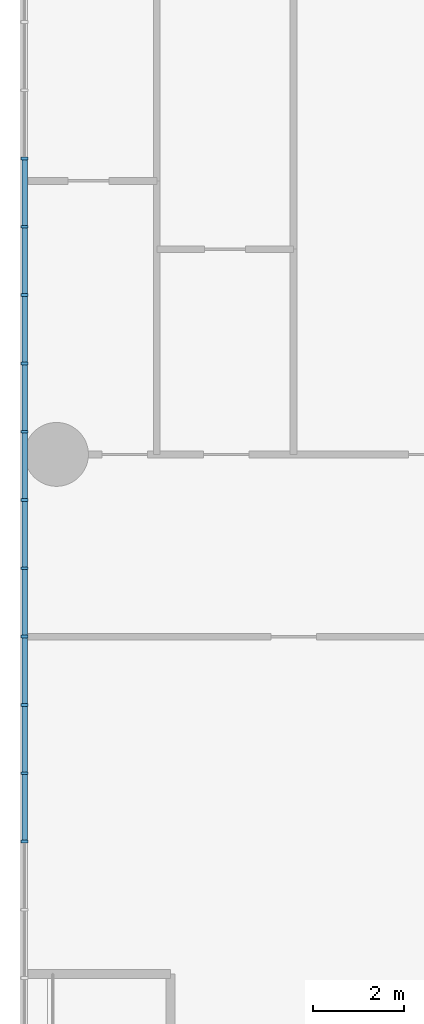
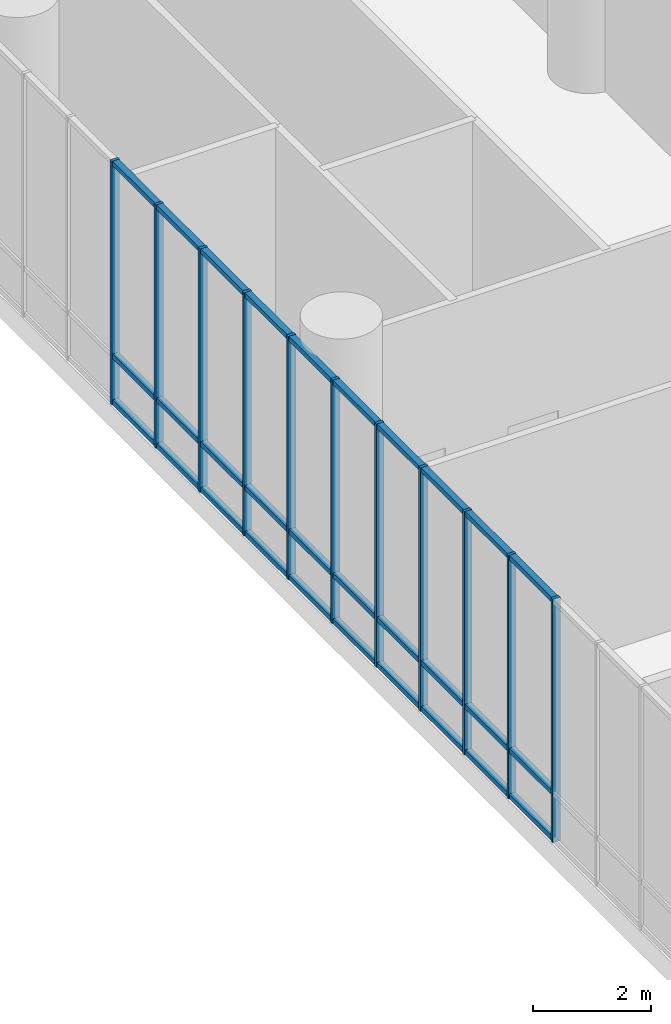
# One storey, part 5 of 28: 41 members, 1 element without a shape of its own.
"""IFC4 building model written with IfcOpenShell, lengths in metres."""

from ifc_helpers import new_model, si_unit, direction, frame, origin, origin_2d, place, context, subcontext, project, spatial, rectangle, extrude, material, layer, layer_set, material_profile, profile_set, type_object, element, aggregate, save


model = new_model("IFC4")

# Units and contexts
model_context = context("Model", 3, precision=1e-05, world=origin(), true_north=direction((0.0, 1.0)))
body_context = subcontext(model_context, "Body", "Model", "MODEL_VIEW")
ifc_project = project(units=[si_unit("LENGTHUNIT", "METRE"), si_unit("AREAUNIT", "SQUARE_METRE"), si_unit("VOLUMEUNIT", "CUBIC_METRE"), si_unit("PLANEANGLEUNIT", "RADIAN"), si_unit("MASSUNIT", "GRAM", prefix="KILO")], contexts=[model_context])

# Site, building, storey
site_placement = place(None, origin())
site = spatial("IfcSite", under=ifc_project, at=site_placement, CompositionType="ELEMENT")
building_placement = place(site_placement, origin())
building = spatial("IfcBuilding", under=site, at=building_placement, Name="Torana Hotel and Residences", CompositionType="ELEMENT")
storey_placement = place(building_placement, frame((0.0, 0.0, 7.0)))
storey = spatial("IfcBuildingStorey", under=building, at=storey_placement, Name="L01", CompositionType="ELEMENT", Elevation=7.0)

# Curtain wall, members
ifc_material_1 = material(Name="Dark anodised aluminium", Category="aluminium")
ifc_layer = layer(ifc_material_1, 0.14990234375)
ifc_layer_set = layer_set([ifc_layer], Name="CW5 PODIUM UPPER UNITISED CURTAIN WALL")
curtain_wall_type = type_object("IfcCurtainWallType", Name="CW5 PODIUM UPPER UNITISED CURTAIN WALL", PredefinedType="NOTDEFINED", material=ifc_layer_set)
curtain_wall_placement = place(storey_placement, origin())
curtain_wall = element("IfcCurtainWall", 1, at=curtain_wall_placement, inside=storey, type_object=curtain_wall_type, Name="Curtain wall CW5 L01 e0.7", PredefinedType="NOTDEFINED")
ifc_material_2 = material(Name="Dark anodised aluminium", Category="aluminium")
ifc_material_profile_1 = material_profile(ifc_material_2, rectangle(XDim=0.14990234375, YDim=0.06005859375, at=origin_2d()), Name="CW5 MULLION 60x150")
ifc_profile_set_1 = profile_set([ifc_material_profile_1], Name="Dark anodised aluminium")
member_type_1 = type_object("IfcMemberType", Name="CW5 MULLION 60x150", PredefinedType="MULLION", material=ifc_profile_set_1)
member_1_placement = place(storey_placement, frame((-47.89990234375, -8.51025390625, 0.0), z_axis=(0.0, 0.0, 1.0), x_axis=(1.0, 0.0, 0.0)))
member_1 = element("IfcMember", 2, at=member_1_placement, type_object=member_type_1, Name="CW5 mullion 8", PredefinedType="MULLION", context=body_context, shape_type="SweptSolid", body=[
    extrude(rectangle(XDim=0.14990234375, YDim=0.06005859375, at=origin_2d()), origin(), (0.0, 0.0, 1.0), 5.050048828125),
])
member_2_placement = place(storey_placement, frame((-47.89990234375, -10.00830078125, 0.0), z_axis=(0.0, 0.0, 1.0), x_axis=(1.0, 0.0, 0.0)))
member_2 = element("IfcMember", 3, at=member_2_placement, type_object=member_type_1, Name="CW5 mullion 9", PredefinedType="MULLION", context=body_context, shape_type="SweptSolid", body=[
    extrude(rectangle(XDim=0.14990234375, YDim=0.06005859375, at=origin_2d()), origin(), (0.0, 0.0, 1.0), 5.050048828125),
])
member_3_placement = place(storey_placement, frame((-47.89990234375, -11.506103515625, 0.0), z_axis=(0.0, 0.0, 1.0), x_axis=(1.0, 0.0, 0.0)))
member_3 = element("IfcMember", 4, at=member_3_placement, type_object=member_type_1, Name="CW5 mullion 10", PredefinedType="MULLION", context=body_context, shape_type="SweptSolid", body=[
    extrude(rectangle(XDim=0.14990234375, YDim=0.06005859375, at=origin_2d()), origin(), (0.0, 0.0, 1.0), 5.050048828125),
])
member_4_placement = place(storey_placement, frame((-47.89990234375, -13.004150390625, 0.0), z_axis=(0.0, 0.0, 1.0), x_axis=(1.0, 0.0, 0.0)))
member_4 = element("IfcMember", 5, at=member_4_placement, type_object=member_type_1, Name="CW5 mullion 11", PredefinedType="MULLION", context=body_context, shape_type="SweptSolid", body=[
    extrude(rectangle(XDim=0.14990234375, YDim=0.06005859375, at=origin_2d()), origin(), (0.0, 0.0, 1.0), 5.050048828125),
])
member_5_placement = place(storey_placement, frame((-47.89990234375, -14.501953125, 0.0), z_axis=(0.0, 0.0, 1.0), x_axis=(1.0, 0.0, 0.0)))
member_5 = element("IfcMember", 6, at=member_5_placement, type_object=member_type_1, Name="CW5 mullion 12", PredefinedType="MULLION", context=body_context, shape_type="SweptSolid", body=[
    extrude(rectangle(XDim=0.14990234375, YDim=0.06005859375, at=origin_2d()), origin(), (0.0, 0.0, 1.0), 5.050048828125),
])
member_6_placement = place(storey_placement, frame((-47.89990234375, -16.0, 0.0), z_axis=(0.0, 0.0, 1.0), x_axis=(1.0, 0.0, 0.0)))
member_6 = element("IfcMember", 7, at=member_6_placement, type_object=member_type_1, Name="CW5 mullion 13", PredefinedType="MULLION", context=body_context, shape_type="SweptSolid", body=[
    extrude(rectangle(XDim=0.14990234375, YDim=0.06005859375, at=origin_2d()), origin(), (0.0, 0.0, 1.0), 5.050048828125),
])
member_7_placement = place(storey_placement, frame((-47.89990234375, -17.498046875, 0.0), z_axis=(0.0, 0.0, 1.0), x_axis=(1.0, 0.0, 0.0)))
member_7 = element("IfcMember", 8, at=member_7_placement, type_object=member_type_1, Name="CW5 mullion 14", PredefinedType="MULLION", context=body_context, shape_type="SweptSolid", body=[
    extrude(rectangle(XDim=0.14990234375, YDim=0.06005859375, at=origin_2d()), origin(), (0.0, 0.0, 1.0), 5.050048828125),
])
member_8_placement = place(storey_placement, frame((-47.89990234375, -18.995849609375, 0.0), z_axis=(0.0, 0.0, 1.0), x_axis=(1.0, 0.0, 0.0)))
member_8 = element("IfcMember", 9, at=member_8_placement, type_object=member_type_1, Name="CW5 mullion 15", PredefinedType="MULLION", context=body_context, shape_type="SweptSolid", body=[
    extrude(rectangle(XDim=0.14990234375, YDim=0.06005859375, at=origin_2d()), origin(), (0.0, 0.0, 1.0), 5.050048828125),
])
member_9_placement = place(storey_placement, frame((-47.89990234375, -20.493896484375, 0.0), z_axis=(0.0, 0.0, 1.0), x_axis=(1.0, 0.0, 0.0)))
member_9 = element("IfcMember", 10, at=member_9_placement, type_object=member_type_1, Name="CW5 mullion 16", PredefinedType="MULLION", context=body_context, shape_type="SweptSolid", body=[
    extrude(rectangle(XDim=0.14990234375, YDim=0.06005859375, at=origin_2d()), origin(), (0.0, 0.0, 1.0), 5.050048828125),
])
member_10_placement = place(storey_placement, frame((-47.89990234375, -21.99169921875, 0.0), z_axis=(0.0, 0.0, 1.0), x_axis=(1.0, 0.0, 0.0)))
member_10 = element("IfcMember", 11, at=member_10_placement, type_object=member_type_1, Name="CW5 mullion 17", PredefinedType="MULLION", context=body_context, shape_type="SweptSolid", body=[
    extrude(rectangle(XDim=0.14990234375, YDim=0.06005859375, at=origin_2d()), origin(), (0.0, 0.0, 1.0), 5.050048828125),
])
member_11_placement = place(storey_placement, frame((-47.89990234375, -23.48974609375, 0.0), z_axis=(0.0, 0.0, 1.0), x_axis=(1.0, 0.0, 0.0)))
member_11 = element("IfcMember", 12, at=member_11_placement, type_object=member_type_1, Name="CW5 mullion 18", PredefinedType="MULLION", context=body_context, shape_type="SweptSolid", body=[
    extrude(rectangle(XDim=0.14990234375, YDim=0.06005859375, at=origin_2d()), origin(), (0.0, 0.0, 1.0), 5.050048828125),
])
ifc_material_3 = material(Name="Dark anodised aluminium", Category="aluminium")
ifc_material_profile_2 = material_profile(ifc_material_3, rectangle(XDim=0.1201171875, YDim=0.10009765625, at=origin_2d()), Name="CW5 TRANSOM 120x100")
ifc_profile_set_2 = profile_set([ifc_material_profile_2], Name="Dark anodised aluminium")
member_type_2 = type_object("IfcMemberType", Name="CW5 TRANSOM 120x100", PredefinedType="USERDEFINED", material=ifc_profile_set_2)
member_12_placement = place(storey_placement, frame((-47.89990234375, -8.540283203125, 0.050048828125), z_axis=(0.0, -1.0, 0.0), x_axis=(1.0, 0.0, 0.0)))
member_12 = element("IfcMember", 13, at=member_12_placement, type_object=member_type_2, Name="CW5 transom 8.1", ObjectType="TRANSOM", PredefinedType="USERDEFINED", context=body_context, shape_type="SweptSolid", body=[
    extrude(rectangle(XDim=0.1201171875, YDim=0.10009765625, at=origin_2d()), origin(), (0.0, 0.0, 1.0), 1.43798828125),
])
member_13_placement = place(storey_placement, frame((-47.89990234375, -8.540283203125, 1.0), z_axis=(0.0, -1.0, 0.0), x_axis=(1.0, 0.0, 0.0)))
member_13 = element("IfcMember", 14, at=member_13_placement, type_object=member_type_2, Name="CW5 transom 8.2", ObjectType="TRANSOM", PredefinedType="USERDEFINED", context=body_context, shape_type="SweptSolid", body=[
    extrude(rectangle(XDim=0.1201171875, YDim=0.10009765625, at=origin_2d()), origin(), (0.0, 0.0, 1.0), 1.43798828125),
])
member_14_placement = place(storey_placement, frame((-47.89990234375, -8.540283203125, 5.0), z_axis=(0.0, -1.0, 0.0), x_axis=(1.0, 0.0, 0.0)))
member_14 = element("IfcMember", 15, at=member_14_placement, type_object=member_type_2, Name="CW5 transom 8.3", ObjectType="TRANSOM", PredefinedType="USERDEFINED", context=body_context, shape_type="SweptSolid", body=[
    extrude(rectangle(XDim=0.1201171875, YDim=0.10009765625, at=origin_2d()), origin(), (0.0, 0.0, 1.0), 1.43798828125),
])
member_15_placement = place(storey_placement, frame((-47.89990234375, -10.0380859375, 0.050048828125), z_axis=(0.0, -1.0, 0.0), x_axis=(1.0, 0.0, 0.0)))
member_15 = element("IfcMember", 16, at=member_15_placement, type_object=member_type_2, Name="CW5 transom 9.1", ObjectType="TRANSOM", PredefinedType="USERDEFINED", context=body_context, shape_type="SweptSolid", body=[
    extrude(rectangle(XDim=0.1201171875, YDim=0.10009765625, at=origin_2d()), origin(), (0.0, 0.0, 1.0), 1.43798828125),
])
member_16_placement = place(storey_placement, frame((-47.89990234375, -10.0380859375, 1.0), z_axis=(0.0, -1.0, 0.0), x_axis=(1.0, 0.0, 0.0)))
member_16 = element("IfcMember", 17, at=member_16_placement, type_object=member_type_2, Name="CW5 transom 9.2", ObjectType="TRANSOM", PredefinedType="USERDEFINED", context=body_context, shape_type="SweptSolid", body=[
    extrude(rectangle(XDim=0.1201171875, YDim=0.10009765625, at=origin_2d()), origin(), (0.0, 0.0, 1.0), 1.43798828125),
])
member_17_placement = place(storey_placement, frame((-47.89990234375, -10.0380859375, 5.0), z_axis=(0.0, -1.0, 0.0), x_axis=(1.0, 0.0, 0.0)))
member_17 = element("IfcMember", 18, at=member_17_placement, type_object=member_type_2, Name="CW5 transom 9.3", ObjectType="TRANSOM", PredefinedType="USERDEFINED", context=body_context, shape_type="SweptSolid", body=[
    extrude(rectangle(XDim=0.1201171875, YDim=0.10009765625, at=origin_2d()), origin(), (0.0, 0.0, 1.0), 1.43798828125),
])
member_18_placement = place(storey_placement, frame((-47.89990234375, -11.5361328125, 0.050048828125), z_axis=(0.0, -1.0, 0.0), x_axis=(1.0, 0.0, 0.0)))
member_18 = element("IfcMember", 19, at=member_18_placement, type_object=member_type_2, Name="CW5 transom 10.1", ObjectType="TRANSOM", PredefinedType="USERDEFINED", context=body_context, shape_type="SweptSolid", body=[
    extrude(rectangle(XDim=0.1201171875, YDim=0.10009765625, at=origin_2d()), origin(), (0.0, 0.0, 1.0), 1.43798828125),
])
member_19_placement = place(storey_placement, frame((-47.89990234375, -11.5361328125, 1.0), z_axis=(0.0, -1.0, 0.0), x_axis=(1.0, 0.0, 0.0)))
member_19 = element("IfcMember", 20, at=member_19_placement, type_object=member_type_2, Name="CW5 transom 10.2", ObjectType="TRANSOM", PredefinedType="USERDEFINED", context=body_context, shape_type="SweptSolid", body=[
    extrude(rectangle(XDim=0.1201171875, YDim=0.10009765625, at=origin_2d()), origin(), (0.0, 0.0, 1.0), 1.43798828125),
])
member_20_placement = place(storey_placement, frame((-47.89990234375, -11.5361328125, 5.0), z_axis=(0.0, -1.0, 0.0), x_axis=(1.0, 0.0, 0.0)))
member_20 = element("IfcMember", 21, at=member_20_placement, type_object=member_type_2, Name="CW5 transom 10.3", ObjectType="TRANSOM", PredefinedType="USERDEFINED", context=body_context, shape_type="SweptSolid", body=[
    extrude(rectangle(XDim=0.1201171875, YDim=0.10009765625, at=origin_2d()), origin(), (0.0, 0.0, 1.0), 1.43798828125),
])
member_21_placement = place(storey_placement, frame((-47.89990234375, -13.0341796875, 0.050048828125), z_axis=(0.0, -1.0, 0.0), x_axis=(1.0, 0.0, 0.0)))
member_21 = element("IfcMember", 22, at=member_21_placement, type_object=member_type_2, Name="CW5 transom 11.1", ObjectType="TRANSOM", PredefinedType="USERDEFINED", context=body_context, shape_type="SweptSolid", body=[
    extrude(rectangle(XDim=0.1201171875, YDim=0.10009765625, at=origin_2d()), origin(), (0.0, 0.0, 1.0), 1.43798828125),
])
member_22_placement = place(storey_placement, frame((-47.89990234375, -13.0341796875, 1.0), z_axis=(0.0, -1.0, 0.0), x_axis=(1.0, 0.0, 0.0)))
member_22 = element("IfcMember", 23, at=member_22_placement, type_object=member_type_2, Name="CW5 transom 11.2", ObjectType="TRANSOM", PredefinedType="USERDEFINED", context=body_context, shape_type="SweptSolid", body=[
    extrude(rectangle(XDim=0.1201171875, YDim=0.10009765625, at=origin_2d()), origin(), (0.0, 0.0, 1.0), 1.43798828125),
])
member_23_placement = place(storey_placement, frame((-47.89990234375, -13.0341796875, 5.0), z_axis=(0.0, -1.0, 0.0), x_axis=(1.0, 0.0, 0.0)))
member_23 = element("IfcMember", 24, at=member_23_placement, type_object=member_type_2, Name="CW5 transom 11.3", ObjectType="TRANSOM", PredefinedType="USERDEFINED", context=body_context, shape_type="SweptSolid", body=[
    extrude(rectangle(XDim=0.1201171875, YDim=0.10009765625, at=origin_2d()), origin(), (0.0, 0.0, 1.0), 1.43798828125),
])
member_24_placement = place(storey_placement, frame((-47.89990234375, -14.531982421875, 0.050048828125), z_axis=(0.0, -1.0, 0.0), x_axis=(1.0, 0.0, 0.0)))
member_24 = element("IfcMember", 25, at=member_24_placement, type_object=member_type_2, Name="CW5 transom 12.1", ObjectType="TRANSOM", PredefinedType="USERDEFINED", context=body_context, shape_type="SweptSolid", body=[
    extrude(rectangle(XDim=0.1201171875, YDim=0.10009765625, at=origin_2d()), origin(), (0.0, 0.0, 1.0), 1.43798828125),
])
member_25_placement = place(storey_placement, frame((-47.89990234375, -14.531982421875, 1.0), z_axis=(0.0, -1.0, 0.0), x_axis=(1.0, 0.0, 0.0)))
member_25 = element("IfcMember", 26, at=member_25_placement, type_object=member_type_2, Name="CW5 transom 12.2", ObjectType="TRANSOM", PredefinedType="USERDEFINED", context=body_context, shape_type="SweptSolid", body=[
    extrude(rectangle(XDim=0.1201171875, YDim=0.10009765625, at=origin_2d()), origin(), (0.0, 0.0, 1.0), 1.43798828125),
])
member_26_placement = place(storey_placement, frame((-47.89990234375, -14.531982421875, 5.0), z_axis=(0.0, -1.0, 0.0), x_axis=(1.0, 0.0, 0.0)))
member_26 = element("IfcMember", 27, at=member_26_placement, type_object=member_type_2, Name="CW5 transom 12.3", ObjectType="TRANSOM", PredefinedType="USERDEFINED", context=body_context, shape_type="SweptSolid", body=[
    extrude(rectangle(XDim=0.1201171875, YDim=0.10009765625, at=origin_2d()), origin(), (0.0, 0.0, 1.0), 1.43798828125),
])
member_27_placement = place(storey_placement, frame((-47.89990234375, -16.030029296875, 0.050048828125), z_axis=(0.0, -1.0, 0.0), x_axis=(1.0, 0.0, 0.0)))
member_27 = element("IfcMember", 28, at=member_27_placement, type_object=member_type_2, Name="CW5 transom 13.1", ObjectType="TRANSOM", PredefinedType="USERDEFINED", context=body_context, shape_type="SweptSolid", body=[
    extrude(rectangle(XDim=0.1201171875, YDim=0.10009765625, at=origin_2d()), origin(), (0.0, 0.0, 1.0), 1.43798828125),
])
member_28_placement = place(storey_placement, frame((-47.89990234375, -16.030029296875, 1.0), z_axis=(0.0, -1.0, 0.0), x_axis=(1.0, 0.0, 0.0)))
member_28 = element("IfcMember", 29, at=member_28_placement, type_object=member_type_2, Name="CW5 transom 13.2", ObjectType="TRANSOM", PredefinedType="USERDEFINED", context=body_context, shape_type="SweptSolid", body=[
    extrude(rectangle(XDim=0.1201171875, YDim=0.10009765625, at=origin_2d()), origin(), (0.0, 0.0, 1.0), 1.43798828125),
])
member_29_placement = place(storey_placement, frame((-47.89990234375, -16.030029296875, 5.0), z_axis=(0.0, -1.0, 0.0), x_axis=(1.0, 0.0, 0.0)))
member_29 = element("IfcMember", 30, at=member_29_placement, type_object=member_type_2, Name="CW5 transom 13.3", ObjectType="TRANSOM", PredefinedType="USERDEFINED", context=body_context, shape_type="SweptSolid", body=[
    extrude(rectangle(XDim=0.1201171875, YDim=0.10009765625, at=origin_2d()), origin(), (0.0, 0.0, 1.0), 1.43798828125),
])
member_30_placement = place(storey_placement, frame((-47.89990234375, -17.52783203125, 0.050048828125), z_axis=(0.0, -1.0, 0.0), x_axis=(1.0, 0.0, 0.0)))
member_30 = element("IfcMember", 31, at=member_30_placement, type_object=member_type_2, Name="CW5 transom 14.1", ObjectType="TRANSOM", PredefinedType="USERDEFINED", context=body_context, shape_type="SweptSolid", body=[
    extrude(rectangle(XDim=0.1201171875, YDim=0.10009765625, at=origin_2d()), origin(), (0.0, 0.0, 1.0), 1.43798828125),
])
member_31_placement = place(storey_placement, frame((-47.89990234375, -17.52783203125, 1.0), z_axis=(0.0, -1.0, 0.0), x_axis=(1.0, 0.0, 0.0)))
member_31 = element("IfcMember", 32, at=member_31_placement, type_object=member_type_2, Name="CW5 transom 14.2", ObjectType="TRANSOM", PredefinedType="USERDEFINED", context=body_context, shape_type="SweptSolid", body=[
    extrude(rectangle(XDim=0.1201171875, YDim=0.10009765625, at=origin_2d()), origin(), (0.0, 0.0, 1.0), 1.43798828125),
])
member_32_placement = place(storey_placement, frame((-47.89990234375, -17.52783203125, 5.0), z_axis=(0.0, -1.0, 0.0), x_axis=(1.0, 0.0, 0.0)))
member_32 = element("IfcMember", 33, at=member_32_placement, type_object=member_type_2, Name="CW5 transom 14.3", ObjectType="TRANSOM", PredefinedType="USERDEFINED", context=body_context, shape_type="SweptSolid", body=[
    extrude(rectangle(XDim=0.1201171875, YDim=0.10009765625, at=origin_2d()), origin(), (0.0, 0.0, 1.0), 1.43798828125),
])
member_33_placement = place(storey_placement, frame((-47.89990234375, -19.02587890625, 0.050048828125), z_axis=(0.0, -1.0, 0.0), x_axis=(1.0, 0.0, 0.0)))
member_33 = element("IfcMember", 34, at=member_33_placement, type_object=member_type_2, Name="CW5 transom 15.1", ObjectType="TRANSOM", PredefinedType="USERDEFINED", context=body_context, shape_type="SweptSolid", body=[
    extrude(rectangle(XDim=0.1201171875, YDim=0.10009765625, at=origin_2d()), origin(), (0.0, 0.0, 1.0), 1.43798828125),
])
member_34_placement = place(storey_placement, frame((-47.89990234375, -19.02587890625, 1.0), z_axis=(0.0, -1.0, 0.0), x_axis=(1.0, 0.0, 0.0)))
member_34 = element("IfcMember", 35, at=member_34_placement, type_object=member_type_2, Name="CW5 transom 15.2", ObjectType="TRANSOM", PredefinedType="USERDEFINED", context=body_context, shape_type="SweptSolid", body=[
    extrude(rectangle(XDim=0.1201171875, YDim=0.10009765625, at=origin_2d()), origin(), (0.0, 0.0, 1.0), 1.43798828125),
])
member_35_placement = place(storey_placement, frame((-47.89990234375, -19.02587890625, 5.0), z_axis=(0.0, -1.0, 0.0), x_axis=(1.0, 0.0, 0.0)))
member_35 = element("IfcMember", 36, at=member_35_placement, type_object=member_type_2, Name="CW5 transom 15.3", ObjectType="TRANSOM", PredefinedType="USERDEFINED", context=body_context, shape_type="SweptSolid", body=[
    extrude(rectangle(XDim=0.1201171875, YDim=0.10009765625, at=origin_2d()), origin(), (0.0, 0.0, 1.0), 1.43798828125),
])
member_36_placement = place(storey_placement, frame((-47.89990234375, -20.52392578125, 0.050048828125), z_axis=(0.0, -1.0, 0.0), x_axis=(1.0, 0.0, 0.0)))
member_36 = element("IfcMember", 37, at=member_36_placement, type_object=member_type_2, Name="CW5 transom 16.1", ObjectType="TRANSOM", PredefinedType="USERDEFINED", context=body_context, shape_type="SweptSolid", body=[
    extrude(rectangle(XDim=0.1201171875, YDim=0.10009765625, at=origin_2d()), origin(), (0.0, 0.0, 1.0), 1.43798828125),
])
member_37_placement = place(storey_placement, frame((-47.89990234375, -20.52392578125, 1.0), z_axis=(0.0, -1.0, 0.0), x_axis=(1.0, 0.0, 0.0)))
member_37 = element("IfcMember", 38, at=member_37_placement, type_object=member_type_2, Name="CW5 transom 16.2", ObjectType="TRANSOM", PredefinedType="USERDEFINED", context=body_context, shape_type="SweptSolid", body=[
    extrude(rectangle(XDim=0.1201171875, YDim=0.10009765625, at=origin_2d()), origin(), (0.0, 0.0, 1.0), 1.43798828125),
])
member_38_placement = place(storey_placement, frame((-47.89990234375, -20.52392578125, 5.0), z_axis=(0.0, -1.0, 0.0), x_axis=(1.0, 0.0, 0.0)))
member_38 = element("IfcMember", 39, at=member_38_placement, type_object=member_type_2, Name="CW5 transom 16.3", ObjectType="TRANSOM", PredefinedType="USERDEFINED", context=body_context, shape_type="SweptSolid", body=[
    extrude(rectangle(XDim=0.1201171875, YDim=0.10009765625, at=origin_2d()), origin(), (0.0, 0.0, 1.0), 1.43798828125),
])
member_39_placement = place(storey_placement, frame((-47.89990234375, -22.021728515625, 0.050048828125), z_axis=(0.0, -1.0, 0.0), x_axis=(1.0, 0.0, 0.0)))
member_39 = element("IfcMember", 40, at=member_39_placement, type_object=member_type_2, Name="CW5 transom 17.1", ObjectType="TRANSOM", PredefinedType="USERDEFINED", context=body_context, shape_type="SweptSolid", body=[
    extrude(rectangle(XDim=0.1201171875, YDim=0.10009765625, at=origin_2d()), origin(), (0.0, 0.0, 1.0), 1.43798828125),
])
member_40_placement = place(storey_placement, frame((-47.89990234375, -22.021728515625, 1.0), z_axis=(0.0, -1.0, 0.0), x_axis=(1.0, 0.0, 0.0)))
member_40 = element("IfcMember", 41, at=member_40_placement, type_object=member_type_2, Name="CW5 transom 17.2", ObjectType="TRANSOM", PredefinedType="USERDEFINED", context=body_context, shape_type="SweptSolid", body=[
    extrude(rectangle(XDim=0.1201171875, YDim=0.10009765625, at=origin_2d()), origin(), (0.0, 0.0, 1.0), 1.43798828125),
])
member_41_placement = place(storey_placement, frame((-47.89990234375, -22.021728515625, 5.0), z_axis=(0.0, -1.0, 0.0), x_axis=(1.0, 0.0, 0.0)))
member_41 = element("IfcMember", 42, at=member_41_placement, type_object=member_type_2, Name="CW5 transom 17.3", ObjectType="TRANSOM", PredefinedType="USERDEFINED", context=body_context, shape_type="SweptSolid", body=[
    extrude(rectangle(XDim=0.1201171875, YDim=0.10009765625, at=origin_2d()), origin(), (0.0, 0.0, 1.0), 1.43798828125),
])
aggregate(curtain_wall, [member_1, member_2, member_3, member_4, member_5, member_6, member_7, member_8, member_9, member_10, member_11, member_12, member_13, member_14, member_15, member_16, member_17, member_18, member_19, member_20, member_21, member_22, member_23, member_24, member_25, member_26, member_27, member_28, member_29, member_30, member_31, member_32, member_33, member_34, member_35, member_36, member_37, member_38, member_39, member_40, member_41])

save(model, "model.ifc")
